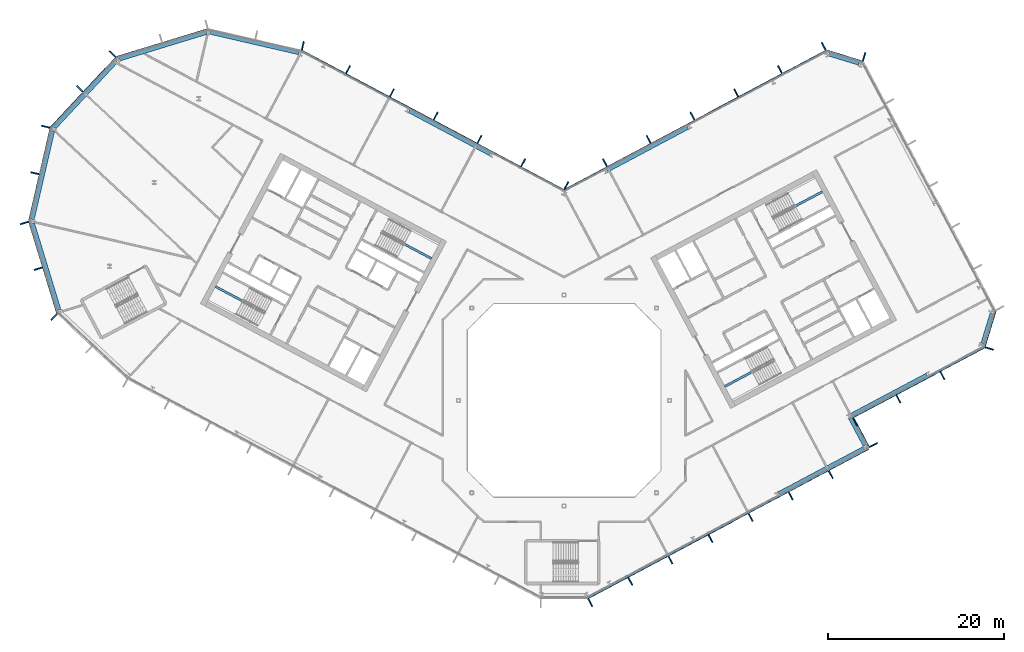
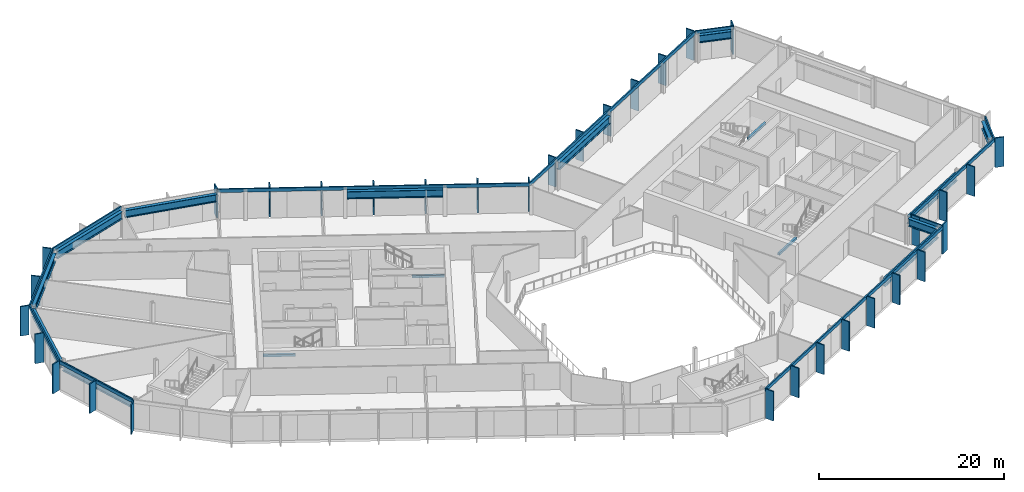
# One storey, part 9 of 26: 44 members, 16 beams, 13 elements without a shape of their own.
"""IFC4 building model written with IfcOpenShell, lengths in metres."""

from ifc_helpers import new_model, si_unit, direction, frame, origin, origin_2d, place, context, subcontext, project, spatial, rectangle, i_section, extrude, material, layer, layer_set, material_profile, profile_set, type_object, element, aggregate, save


model = new_model("IFC4")

# Units and contexts
model_context = context("Model", 3, precision=1e-05, world=origin(), true_north=direction((0.0, 1.0)))
body_context = subcontext(model_context, "Body", "Model", "MODEL_VIEW")
ifc_project = project(units=[si_unit("LENGTHUNIT", "METRE"), si_unit("AREAUNIT", "SQUARE_METRE"), si_unit("VOLUMEUNIT", "CUBIC_METRE"), si_unit("PLANEANGLEUNIT", "RADIAN"), si_unit("MASSUNIT", "GRAM", prefix="KILO")], contexts=[model_context])

# Site, building, storey
site_placement = place(None, origin())
site = spatial("IfcSite", under=ifc_project, at=site_placement, CompositionType="ELEMENT")
building_placement = place(site_placement, origin())
building = spatial("IfcBuilding", under=site, at=building_placement, Name="Cormorant Relay Tower", CompositionType="ELEMENT")
storey_placement = place(building_placement, frame((0.0, 0.0, 205.199951171875)))
storey = spatial("IfcBuildingStorey", under=building, at=storey_placement, Name="L44", CompositionType="ELEMENT", Elevation=205.199951171875)

# Curtain wall, members
ifc_material_1 = material(Name="Aluminium 6063-T6 anodised bronze", Category="aluminium")
ifc_layer = layer(ifc_material_1, 0.199951171875)
ifc_layer_set = layer_set([ifc_layer], Name="CW1 unitised bronze curtain wall with vertical fins")
curtain_wall_type = type_object("IfcCurtainWallType", Name="CW1 unitised bronze curtain wall with vertical fins", PredefinedType="NOTDEFINED", material=ifc_layer_set)
curtain_wall_1_placement = place(storey_placement, origin())
curtain_wall_1 = element("IfcCurtainWall", 1, at=curtain_wall_1_placement, inside=storey, type_object=curtain_wall_type, Name="CW1 curtain wall 2", PredefinedType="NOTDEFINED")
ifc_material_2 = material(Name="Aluminium 6063-T6 anodised bronze", Category="aluminium")
ifc_material_profile_1 = material_profile(ifc_material_2, rectangle(XDim=0.14990234375, YDim=1.0, at=origin_2d()), Name="AL 150x1000")
ifc_profile_set_1 = profile_set([ifc_material_profile_1], Name="Aluminium 6063-T6 anodised bronze")
member_type_1 = type_object("IfcMemberType", Name="CW1 bronze fin mullion 150 x 1000", PredefinedType="MULLION", material=ifc_profile_set_1)
member_1_placement = place(storey_placement, frame((2.9775390625, -22.99365234375, 0.0), z_axis=(0.0, 0.0, 1.0), x_axis=(0.882947592859, 0.469471562786, 0.0)))
member_1 = element("IfcMember", 2, at=member_1_placement, type_object=member_type_1, Name="CW1 fin 2.1", PredefinedType="MULLION", context=body_context, shape_type="SweptSolid", body=[
    extrude(rectangle(XDim=0.14990234375, YDim=1.0, at=origin_2d()), origin(), (0.0, 0.0, 1.0), 3.900146484375),
])
member_2_placement = place(storey_placement, frame((7.539306640625, -20.568115234375, 0.0), z_axis=(0.0, 0.0, 1.0), x_axis=(0.882947592859, 0.469471562786, 0.0)))
member_2 = element("IfcMember", 3, at=member_2_placement, type_object=member_type_1, Name="CW1 fin 2.2", PredefinedType="MULLION", context=body_context, shape_type="SweptSolid", body=[
    extrude(rectangle(XDim=0.14990234375, YDim=1.0, at=origin_2d()), origin(), (0.0, 0.0, 1.0), 3.900146484375),
])
member_3_placement = place(storey_placement, frame((12.10107421875, -18.142578125, 0.0), z_axis=(0.0, 0.0, 1.0), x_axis=(0.882947592859, 0.469471562786, 0.0)))
member_3 = element("IfcMember", 4, at=member_3_placement, type_object=member_type_1, Name="CW1 fin 2.3", PredefinedType="MULLION", context=body_context, shape_type="SweptSolid", body=[
    extrude(rectangle(XDim=0.14990234375, YDim=1.0, at=origin_2d()), origin(), (0.0, 0.0, 1.0), 3.900146484375),
])
member_4_placement = place(storey_placement, frame((16.662841796875, -15.717041015625, 0.0), z_axis=(0.0, 0.0, 1.0), x_axis=(0.882947592859, 0.469471562786, 0.0)))
member_4 = element("IfcMember", 5, at=member_4_placement, type_object=member_type_1, Name="CW1 fin 2.4", PredefinedType="MULLION", context=body_context, shape_type="SweptSolid", body=[
    extrude(rectangle(XDim=0.14990234375, YDim=1.0, at=origin_2d()), origin(), (0.0, 0.0, 1.0), 3.900146484375),
])
member_5_placement = place(storey_placement, frame((21.224609375, -13.29150390625, 0.0), z_axis=(0.0, 0.0, 1.0), x_axis=(0.882947592859, 0.469471562786, 0.0)))
member_5 = element("IfcMember", 6, at=member_5_placement, type_object=member_type_1, Name="CW1 fin 2.5", PredefinedType="MULLION", context=body_context, shape_type="SweptSolid", body=[
    extrude(rectangle(XDim=0.14990234375, YDim=1.0, at=origin_2d()), origin(), (0.0, 0.0, 1.0), 3.900146484375),
])
member_6_placement = place(storey_placement, frame((25.78662109375, -10.865966796875, 0.0), z_axis=(0.0, 0.0, 1.0), x_axis=(0.882947592859, 0.469471562786, 0.0)))
member_6 = element("IfcMember", 7, at=member_6_placement, type_object=member_type_1, Name="CW1 fin 2.6", PredefinedType="MULLION", context=body_context, shape_type="SweptSolid", body=[
    extrude(rectangle(XDim=0.14990234375, YDim=1.0, at=origin_2d()), origin(), (0.0, 0.0, 1.0), 3.900146484375),
])
member_7_placement = place(storey_placement, frame((30.348388671875, -8.440185546875, 0.0), z_axis=(0.0, 0.0, 1.0), x_axis=(0.882947592859, 0.469471562786, 0.0)))
member_7 = element("IfcMember", 8, at=member_7_placement, type_object=member_type_1, Name="CW1 fin 2.7", PredefinedType="MULLION", context=body_context, shape_type="SweptSolid", body=[
    extrude(rectangle(XDim=0.14990234375, YDim=1.0, at=origin_2d()), origin(), (0.0, 0.0, 1.0), 3.900146484375),
])

# Curtain wall, member
curtain_wall_2_placement = place(storey_placement, origin())
curtain_wall_2 = element("IfcCurtainWall", 9, at=curtain_wall_2_placement, inside=storey, type_object=curtain_wall_type, Name="CW1 curtain wall 3", PredefinedType="NOTDEFINED")
member_8_placement = place(storey_placement, frame((35.199462890625, -5.068115234375, 0.0), z_axis=(0.0, 0.0, 1.0), x_axis=(-0.469471562786, 0.882947592859, 0.0)))
member_8 = element("IfcMember", 10, at=member_8_placement, type_object=member_type_1, Name="CW1 fin 3.1", PredefinedType="MULLION", context=body_context, shape_type="SweptSolid", body=[
    extrude(rectangle(XDim=0.14990234375, YDim=1.0, at=origin_2d()), origin(), (0.0, 0.0, 1.0), 3.900146484375),
])

# Curtain wall, members
curtain_wall_3_placement = place(storey_placement, origin())
curtain_wall_3 = element("IfcCurtainWall", 11, at=curtain_wall_3_placement, inside=storey, type_object=curtain_wall_type, Name="CW1 curtain wall 4", PredefinedType="NOTDEFINED")
member_9_placement = place(storey_placement, frame((33.098388671875, -2.44775390625, 0.0), z_axis=(0.0, 0.0, 1.0), x_axis=(0.882947592859, 0.469471562786, 0.0)))
member_9 = element("IfcMember", 12, at=member_9_placement, type_object=member_type_1, Name="CW1 fin 4.1", PredefinedType="MULLION", context=body_context, shape_type="SweptSolid", body=[
    extrude(rectangle(XDim=0.14990234375, YDim=1.0, at=origin_2d()), origin(), (0.0, 0.0, 1.0), 3.900146484375),
])
member_10_placement = place(storey_placement, frame((38.035400390625, 0.177490234375, 0.0), z_axis=(0.0, 0.0, 1.0), x_axis=(0.882947592859, 0.469471562786, 0.0)))
member_10 = element("IfcMember", 13, at=member_10_placement, type_object=member_type_1, Name="CW1 fin 4.2", PredefinedType="MULLION", context=body_context, shape_type="SweptSolid", body=[
    extrude(rectangle(XDim=0.14990234375, YDim=1.0, at=origin_2d()), origin(), (0.0, 0.0, 1.0), 3.900146484375),
])
member_11_placement = place(storey_placement, frame((43.038818359375, 2.837646484375, 0.0), z_axis=(0.0, 0.0, 1.0), x_axis=(0.882947592859, 0.469471562786, 0.0)))
member_11 = element("IfcMember", 14, at=member_11_placement, type_object=member_type_1, Name="CW1 fin 4.3", PredefinedType="MULLION", context=body_context, shape_type="SweptSolid", body=[
    extrude(rectangle(XDim=0.14990234375, YDim=1.0, at=origin_2d()), origin(), (0.0, 0.0, 1.0), 3.900146484375),
])

# Curtain wall, member
curtain_wall_4_placement = place(storey_placement, origin())
curtain_wall_4 = element("IfcCurtainWall", 15, at=curtain_wall_4_placement, inside=storey, type_object=curtain_wall_type, Name="CW1 curtain wall 5", PredefinedType="NOTDEFINED")
member_12_placement = place(storey_placement, frame((48.383056640625, 5.91162109375, 0.0), z_axis=(0.0, 0.0, 1.0), x_axis=(0.292371704723, 0.956304755963, 0.0)))
member_12 = element("IfcMember", 16, at=member_12_placement, type_object=member_type_1, Name="CW1 fin 5.1", PredefinedType="MULLION", context=body_context, shape_type="SweptSolid", body=[
    extrude(rectangle(XDim=0.14990234375, YDim=1.0, at=origin_2d()), origin(), (0.0, 0.0, 1.0), 3.900146484375),
])

curtain_wall_5_placement = place(storey_placement, origin())
curtain_wall_5 = element("IfcCurtainWall", 17, at=curtain_wall_5_placement, inside=storey, type_object=curtain_wall_type, Name="CW1 curtain wall 7", PredefinedType="NOTDEFINED")
member_13_placement = place(storey_placement, frame((34.1357421875, 39.09716796875, 0.0), z_axis=(0.0, 0.0, 1.0), x_axis=(-0.956304755963, 0.292371704723, 0.0)))
member_13 = element("IfcMember", 18, at=member_13_placement, type_object=member_type_1, Name="CW1 fin 7.1", PredefinedType="MULLION", context=body_context, shape_type="SweptSolid", body=[
    extrude(rectangle(XDim=0.14990234375, YDim=1.0, at=origin_2d()), origin(), (0.0, 0.0, 1.0), 3.900146484375),
])

# Curtain wall, members
curtain_wall_6_placement = place(storey_placement, origin())
curtain_wall_6 = element("IfcCurtainWall", 19, at=curtain_wall_6_placement, inside=storey, type_object=curtain_wall_type, Name="CW1 curtain wall 8", PredefinedType="NOTDEFINED")
member_14_placement = place(storey_placement, frame((29.545166015625, 40.2861328125, 0.0), z_axis=(0.0, 0.0, 1.0), x_axis=(-0.882947592859, -0.469471562786, 0.0)))
member_14 = element("IfcMember", 20, at=member_14_placement, type_object=member_type_1, Name="CW1 fin 8.1", PredefinedType="MULLION", context=body_context, shape_type="SweptSolid", body=[
    extrude(rectangle(XDim=0.14990234375, YDim=1.0, at=origin_2d()), origin(), (0.0, 0.0, 1.0), 3.900146484375),
])
member_15_placement = place(storey_placement, frame((24.566162109375, 37.638916015625, 0.0), z_axis=(0.0, 0.0, 1.0), x_axis=(-0.882947592859, -0.469471562786, 0.0)))
member_15 = element("IfcMember", 21, at=member_15_placement, type_object=member_type_1, Name="CW1 fin 8.2", PredefinedType="MULLION", context=body_context, shape_type="SweptSolid", body=[
    extrude(rectangle(XDim=0.14990234375, YDim=1.0, at=origin_2d()), origin(), (0.0, 0.0, 1.0), 3.900146484375),
])
member_16_placement = place(storey_placement, frame((19.587158203125, 34.991455078125, 0.0), z_axis=(0.0, 0.0, 1.0), x_axis=(-0.882947592859, -0.469471562786, 0.0)))
member_16 = element("IfcMember", 22, at=member_16_placement, type_object=member_type_1, Name="CW1 fin 8.3", PredefinedType="MULLION", context=body_context, shape_type="SweptSolid", body=[
    extrude(rectangle(XDim=0.14990234375, YDim=1.0, at=origin_2d()), origin(), (0.0, 0.0, 1.0), 3.900146484375),
])
member_17_placement = place(storey_placement, frame((14.608154296875, 32.343994140625, 0.0), z_axis=(0.0, 0.0, 1.0), x_axis=(-0.882947592859, -0.469471562786, 0.0)))
member_17 = element("IfcMember", 23, at=member_17_placement, type_object=member_type_1, Name="CW1 fin 8.4", PredefinedType="MULLION", context=body_context, shape_type="SweptSolid", body=[
    extrude(rectangle(XDim=0.14990234375, YDim=1.0, at=origin_2d()), origin(), (0.0, 0.0, 1.0), 3.900146484375),
])
member_18_placement = place(storey_placement, frame((9.62939453125, 29.69677734375, 0.0), z_axis=(0.0, 0.0, 1.0), x_axis=(-0.882947592859, -0.469471562786, 0.0)))
member_18 = element("IfcMember", 24, at=member_18_placement, type_object=member_type_1, Name="CW1 fin 8.5", PredefinedType="MULLION", context=body_context, shape_type="SweptSolid", body=[
    extrude(rectangle(XDim=0.14990234375, YDim=1.0, at=origin_2d()), origin(), (0.0, 0.0, 1.0), 3.900146484375),
])
member_19_placement = place(storey_placement, frame((4.650390625, 27.04931640625, 0.0), z_axis=(0.0, 0.0, 1.0), x_axis=(-0.882947592859, -0.469471562786, 0.0)))
member_19 = element("IfcMember", 25, at=member_19_placement, type_object=member_type_1, Name="CW1 fin 8.6", PredefinedType="MULLION", context=body_context, shape_type="SweptSolid", body=[
    extrude(rectangle(XDim=0.14990234375, YDim=1.0, at=origin_2d()), origin(), (0.0, 0.0, 1.0), 3.900146484375),
])

curtain_wall_7_placement = place(storey_placement, origin())
curtain_wall_7 = element("IfcCurtainWall", 26, at=curtain_wall_7_placement, inside=storey, type_object=curtain_wall_type, Name="CW1 curtain wall 9", PredefinedType="NOTDEFINED")
member_20_placement = place(storey_placement, frame((0.262451171875, 24.437255859375, 0.0), z_axis=(0.0, 0.0, 1.0), x_axis=(-0.882947592859, 0.469471562786, 0.0)))
member_20 = element("IfcMember", 27, at=member_20_placement, type_object=member_type_1, Name="CW1 fin 9.1", PredefinedType="MULLION", context=body_context, shape_type="SweptSolid", body=[
    extrude(rectangle(XDim=0.14990234375, YDim=1.0, at=origin_2d()), origin(), (0.0, 0.0, 1.0), 3.900146484375),
])
member_21_placement = place(storey_placement, frame((-4.650390625, 27.04931640625, 0.0), z_axis=(0.0, 0.0, 1.0), x_axis=(-0.882947592859, 0.469471562786, 0.0)))
member_21 = element("IfcMember", 28, at=member_21_placement, type_object=member_type_1, Name="CW1 fin 9.2", PredefinedType="MULLION", context=body_context, shape_type="SweptSolid", body=[
    extrude(rectangle(XDim=0.14990234375, YDim=1.0, at=origin_2d()), origin(), (0.0, 0.0, 1.0), 3.900146484375),
])
member_22_placement = place(storey_placement, frame((-9.62939453125, 29.69677734375, 0.0), z_axis=(0.0, 0.0, 1.0), x_axis=(-0.882947592859, 0.469471562786, 0.0)))
member_22 = element("IfcMember", 29, at=member_22_placement, type_object=member_type_1, Name="CW1 fin 9.3", PredefinedType="MULLION", context=body_context, shape_type="SweptSolid", body=[
    extrude(rectangle(XDim=0.14990234375, YDim=1.0, at=origin_2d()), origin(), (0.0, 0.0, 1.0), 3.900146484375),
])
member_23_placement = place(storey_placement, frame((-14.608154296875, 32.343994140625, 0.0), z_axis=(0.0, 0.0, 1.0), x_axis=(-0.882947592859, 0.469471562786, 0.0)))
member_23 = element("IfcMember", 30, at=member_23_placement, type_object=member_type_1, Name="CW1 fin 9.4", PredefinedType="MULLION", context=body_context, shape_type="SweptSolid", body=[
    extrude(rectangle(XDim=0.14990234375, YDim=1.0, at=origin_2d()), origin(), (0.0, 0.0, 1.0), 3.900146484375),
])
member_24_placement = place(storey_placement, frame((-19.587158203125, 34.991455078125, 0.0), z_axis=(0.0, 0.0, 1.0), x_axis=(-0.882947592859, 0.469471562786, 0.0)))
member_24 = element("IfcMember", 31, at=member_24_placement, type_object=member_type_1, Name="CW1 fin 9.5", PredefinedType="MULLION", context=body_context, shape_type="SweptSolid", body=[
    extrude(rectangle(XDim=0.14990234375, YDim=1.0, at=origin_2d()), origin(), (0.0, 0.0, 1.0), 3.900146484375),
])
member_25_placement = place(storey_placement, frame((-24.566162109375, 37.638916015625, 0.0), z_axis=(0.0, 0.0, 1.0), x_axis=(-0.882947592859, 0.469471562786, 0.0)))
member_25 = element("IfcMember", 32, at=member_25_placement, type_object=member_type_1, Name="CW1 fin 9.6", PredefinedType="MULLION", context=body_context, shape_type="SweptSolid", body=[
    extrude(rectangle(XDim=0.14990234375, YDim=1.0, at=origin_2d()), origin(), (0.0, 0.0, 1.0), 3.900146484375),
])

# Curtain wall, member
curtain_wall_8_placement = place(storey_placement, origin())
curtain_wall_8 = element("IfcCurtainWall", 33, at=curtain_wall_8_placement, inside=storey, type_object=curtain_wall_type, Name="CW1 curtain wall 10", PredefinedType="NOTDEFINED")
member_26_placement = place(storey_placement, frame((-29.71630859375, 40.35009765625, 0.0), z_axis=(0.0, 0.0, 1.0), x_axis=(-0.974370064785, 0.224951054344, 0.0)))
member_26 = element("IfcMember", 34, at=member_26_placement, type_object=member_type_1, Name="CW1 fin 10.1", PredefinedType="MULLION", context=body_context, shape_type="SweptSolid", body=[
    extrude(rectangle(XDim=0.14990234375, YDim=1.0, at=origin_2d()), origin(), (0.0, 0.0, 1.0), 3.900146484375),
])
aggregate(curtain_wall_8, [member_26])

# Curtain wall, members
curtain_wall_9_placement = place(storey_placement, origin())
curtain_wall_9 = element("IfcCurtainWall", 35, at=curtain_wall_9_placement, inside=storey, type_object=curtain_wall_type, Name="CW1 curtain wall 12", PredefinedType="NOTDEFINED")
member_27_placement = place(storey_placement, frame((-51.372802734375, 39.41259765625, 0.0), z_axis=(0.0, 0.0, 1.0), x_axis=(-0.681998360062, -0.731353701619, 0.0)))
member_27 = element("IfcMember", 36, at=member_27_placement, type_object=member_type_1, Name="CW1 fin 12.1", PredefinedType="MULLION", context=body_context, shape_type="SweptSolid", body=[
    extrude(rectangle(XDim=0.14990234375, YDim=1.0, at=origin_2d()), origin(), (0.0, 0.0, 1.0), 3.900146484375),
])
member_28_placement = place(storey_placement, frame((-55.07958984375, 35.4375, 0.0), z_axis=(0.0, 0.0, 1.0), x_axis=(-0.681998360062, -0.731353701619, 0.0)))
member_28 = element("IfcMember", 37, at=member_28_placement, type_object=member_type_1, Name="CW1 fin 12.2", PredefinedType="MULLION", context=body_context, shape_type="SweptSolid", body=[
    extrude(rectangle(XDim=0.14990234375, YDim=1.0, at=origin_2d()), origin(), (0.0, 0.0, 1.0), 3.900146484375),
])

curtain_wall_10_placement = place(storey_placement, origin())
curtain_wall_10 = element("IfcCurtainWall", 38, at=curtain_wall_10_placement, inside=storey, type_object=curtain_wall_type, Name="CW1 curtain wall 13", PredefinedType="NOTDEFINED")
member_29_placement = place(storey_placement, frame((-58.95654296875, 31.142578125, 0.0), z_axis=(0.0, 0.0, 1.0), x_axis=(-0.224951054344, -0.974370064785, 0.0)))
member_29 = element("IfcMember", 39, at=member_29_placement, type_object=member_type_1, Name="CW1 fin 13.1", PredefinedType="MULLION", context=body_context, shape_type="SweptSolid", body=[
    extrude(rectangle(XDim=0.14990234375, YDim=1.0, at=origin_2d()), origin(), (0.0, 0.0, 1.0), 3.900146484375),
])
member_30_placement = place(storey_placement, frame((-60.17919921875, 25.8466796875, 0.0), z_axis=(0.0, 0.0, 1.0), x_axis=(-0.224951054344, -0.974370064785, 0.0)))
member_30 = element("IfcMember", 40, at=member_30_placement, type_object=member_type_1, Name="CW1 fin 13.2", PredefinedType="MULLION", context=body_context, shape_type="SweptSolid", body=[
    extrude(rectangle(XDim=0.14990234375, YDim=1.0, at=origin_2d()), origin(), (0.0, 0.0, 1.0), 3.900146484375),
])

curtain_wall_11_placement = place(storey_placement, origin())
curtain_wall_11 = element("IfcCurtainWall", 41, at=curtain_wall_11_placement, inside=storey, type_object=curtain_wall_type, Name="CW1 curtain wall 14", PredefinedType="NOTDEFINED")
member_31_placement = place(storey_placement, frame((-61.389404296875, 20.188720703125, 0.0), z_axis=(0.0, 0.0, 1.0), x_axis=(0.292371704723, -0.956304755963, 0.0)))
member_31 = element("IfcMember", 42, at=member_31_placement, type_object=member_type_1, Name="CW1 fin 14.1", PredefinedType="MULLION", context=body_context, shape_type="SweptSolid", body=[
    extrude(rectangle(XDim=0.14990234375, YDim=1.0, at=origin_2d()), origin(), (0.0, 0.0, 1.0), 3.900146484375),
])
member_32_placement = place(storey_placement, frame((-59.80029296875, 14.990966796875, 0.0), z_axis=(0.0, 0.0, 1.0), x_axis=(0.292371704723, -0.956304755963, 0.0)))
member_32 = element("IfcMember", 43, at=member_32_placement, type_object=member_type_1, Name="CW1 fin 14.2", PredefinedType="MULLION", context=body_context, shape_type="SweptSolid", body=[
    extrude(rectangle(XDim=0.14990234375, YDim=1.0, at=origin_2d()), origin(), (0.0, 0.0, 1.0), 3.900146484375),
])

# Curtain wall, member
curtain_wall_12_placement = place(storey_placement, origin())
curtain_wall_12 = element("IfcCurtainWall", 44, at=curtain_wall_12_placement, inside=storey, type_object=curtain_wall_type, Name="CW1 curtain wall 15", PredefinedType="NOTDEFINED")
member_33_placement = place(storey_placement, frame((-58.01904296875, 9.486083984375, 0.0), z_axis=(0.0, 0.0, 1.0), x_axis=(0.731353701619, -0.681998360062, 0.0)))
member_33 = element("IfcMember", 45, at=member_33_placement, type_object=member_type_1, Name="CW1 fin 15.1", PredefinedType="MULLION", context=body_context, shape_type="SweptSolid", body=[
    extrude(rectangle(XDim=0.14990234375, YDim=1.0, at=origin_2d()), origin(), (0.0, 0.0, 1.0), 3.900146484375),
])
aggregate(curtain_wall_12, [member_33])

# Member
ifc_material_3 = material(Name="Aluminium 6063-T6 anodised bronze", Category="aluminium")
ifc_material_profile_2 = material_profile(ifc_material_3, rectangle(XDim=0.159912109375, YDim=0.449951171875, at=origin_2d()), Name="AL 160x450")
ifc_profile_set_2 = profile_set([ifc_material_profile_2], Name="Aluminium 6063-T6 anodised bronze")
member_type_2 = type_object("IfcMemberType", Name="CW1 bronze transom 160 x 450", PredefinedType="USERDEFINED", material=ifc_profile_set_2)
member_34_placement = place(storey_placement, frame((2.705078125, -22.4814453125, 3.675048828125), z_axis=(0.882948899141, 0.469469106018, 0.0), x_axis=(-0.469469106018, 0.882948899141, 0.0)))
member_34 = element("IfcMember", 46, at=member_34_placement, type_object=member_type_2, Name="CW1 transom 2", ObjectType="TRANSOM", PredefinedType="USERDEFINED", context=body_context, shape_type="SweptSolid", body=[
    extrude(rectangle(XDim=0.159912109375, YDim=0.449951171875, at=origin_2d()), origin(), (0.0, 0.0, 1.0), 36.165771484375),
])

aggregate(curtain_wall_1, [member_1, member_2, member_3, member_4, member_5, member_6, member_7, member_34])

member_35_placement = place(storey_placement, frame((34.6875, -5.34033203125, 3.675048828125), z_axis=(-0.469485426614, 0.882940221191, 0.0), x_axis=(-0.882940221191, -0.469485426614, 0.0)))
member_35 = element("IfcMember", 47, at=member_35_placement, type_object=member_type_2, Name="CW1 transom 3", ObjectType="TRANSOM", PredefinedType="USERDEFINED", context=body_context, shape_type="SweptSolid", body=[
    extrude(rectangle(XDim=0.159912109375, YDim=0.449951171875, at=origin_2d()), origin(), (0.0, 0.0, 1.0), 4.0),
])

aggregate(curtain_wall_2, [member_8, member_35])

member_36_placement = place(storey_placement, frame((32.760009765625, -1.970947265625, 3.675048828125), z_axis=(0.882941803911, 0.469482450052, 0.0), x_axis=(-0.469482450052, 0.882941803911, 0.0)))
member_36 = element("IfcMember", 48, at=member_36_placement, type_object=member_type_2, Name="CW1 transom 4", ObjectType="TRANSOM", PredefinedType="USERDEFINED", context=body_context, shape_type="SweptSolid", body=[
    extrude(rectangle(XDim=0.159912109375, YDim=0.449951171875, at=origin_2d()), origin(), (0.0, 0.0, 1.0), 17.0),
])

aggregate(curtain_wall_3, [member_9, member_10, member_11, member_36])

member_37_placement = place(storey_placement, frame((47.828369140625, 6.0810546875, 3.675048828125), z_axis=(0.292391046905, 0.95629884225, 0.0), x_axis=(-0.95629884225, 0.292391046905, 0.0)))
member_37 = element("IfcMember", 49, at=member_37_placement, type_object=member_type_2, Name="CW1 transom 5", ObjectType="TRANSOM", PredefinedType="USERDEFINED", context=body_context, shape_type="SweptSolid", body=[
    extrude(rectangle(XDim=0.159912109375, YDim=0.449951171875, at=origin_2d()), origin(), (0.0, 0.0, 1.0), 4.242431640625),
])

aggregate(curtain_wall_4, [member_12, member_37])

member_38_placement = place(storey_placement, frame((33.966064453125, 38.54248046875, 3.675048828125), z_axis=(-0.956303761594, 0.292374957137, 0.0), x_axis=(-0.292374957137, -0.956303761594, 0.0)))
member_38 = element("IfcMember", 50, at=member_38_placement, type_object=member_type_2, Name="CW1 transom 7", ObjectType="TRANSOM", PredefinedType="USERDEFINED", context=body_context, shape_type="SweptSolid", body=[
    extrude(rectangle(XDim=0.159912109375, YDim=0.449951171875, at=origin_2d()), origin(), (0.0, 0.0, 1.0), 4.24267578125),
])

aggregate(curtain_wall_5, [member_13, member_38])

member_39_placement = place(storey_placement, frame((29.8173828125, 39.774169921875, 3.675048828125), z_axis=(-0.882946280328, -0.46947403129, 0.0), x_axis=(0.46947403129, -0.882946280328, 0.0)))
member_39 = element("IfcMember", 51, at=member_39_placement, type_object=member_type_2, Name="CW1 transom 8", ObjectType="TRANSOM", PredefinedType="USERDEFINED", context=body_context, shape_type="SweptSolid", body=[
    extrude(rectangle(XDim=0.159912109375, YDim=0.449951171875, at=origin_2d()), origin(), (0.0, 0.0, 1.0), 33.834228515625),
])

aggregate(curtain_wall_6, [member_14, member_15, member_16, member_17, member_18, member_19, member_39])

member_40_placement = place(storey_placement, frame((0.056396484375, 23.889892578125, 3.675048828125), z_axis=(-0.882946280328, 0.46947403129, 0.0), x_axis=(-0.46947403129, -0.882946280328, 0.0)))
member_40 = element("IfcMember", 52, at=member_40_placement, type_object=member_type_2, Name="CW1 transom 9", ObjectType="TRANSOM", PredefinedType="USERDEFINED", context=body_context, shape_type="SweptSolid", body=[
    extrude(rectangle(XDim=0.159912109375, YDim=0.449951171875, at=origin_2d()), origin(), (0.0, 0.0, 1.0), 33.834228515625),
])

aggregate(curtain_wall_7, [member_20, member_21, member_22, member_23, member_24, member_25, member_40])

# Curtain wall, member
curtain_wall_13_placement = place(storey_placement, origin())
curtain_wall_13 = element("IfcCurtainWall", 53, at=curtain_wall_13_placement, inside=storey, type_object=curtain_wall_type, Name="CW1 curtain wall 11", PredefinedType="NOTDEFINED")
member_41_placement = place(storey_placement, frame((-40.50048828125, 42.228271484375, 3.675048828125), z_axis=(-0.956304833932, -0.292371449698, 0.0), x_axis=(0.292371449698, -0.956304833932, 0.0)))
member_41 = element("IfcMember", 54, at=member_41_placement, type_object=member_type_2, Name="CW1 transom 11", ObjectType="TRANSOM", PredefinedType="USERDEFINED", context=body_context, shape_type="SweptSolid", body=[
    extrude(rectangle(XDim=0.159912109375, YDim=0.449951171875, at=origin_2d()), origin(), (0.0, 0.0, 1.0), 10.87060546875),
])
aggregate(curtain_wall_13, [member_41])

# Member
member_42_placement = place(storey_placement, frame((-50.94873046875, 39.01708984375, 3.675048828125), z_axis=(-0.681993299437, -0.731358420696, 0.0), x_axis=(0.731358420696, -0.681993299437, 0.0)))
member_42 = element("IfcMember", 55, at=member_42_placement, type_object=member_type_2, Name="CW1 transom 12", ObjectType="TRANSOM", PredefinedType="USERDEFINED", context=body_context, shape_type="SweptSolid", body=[
    extrude(rectangle(XDim=0.159912109375, YDim=0.449951171875, at=origin_2d()), origin(), (0.0, 0.0, 1.0), 10.870361328125),
])

aggregate(curtain_wall_9, [member_27, member_28, member_42])

member_43_placement = place(storey_placement, frame((-58.3916015625, 31.01220703125, 3.675048828125), z_axis=(-0.22495136131, -0.974369993916, 0.0), x_axis=(0.974369993916, -0.22495136131, 0.0)))
member_43 = element("IfcMember", 56, at=member_43_placement, type_object=member_type_2, Name="CW1 transom 13", ObjectType="TRANSOM", PredefinedType="USERDEFINED", context=body_context, shape_type="SweptSolid", body=[
    extrude(rectangle(XDim=0.159912109375, YDim=0.449951171875, at=origin_2d()), origin(), (0.0, 0.0, 1.0), 10.870361328125),
])

aggregate(curtain_wall_10, [member_29, member_30, member_43])

member_44_placement = place(storey_placement, frame((-60.834716796875, 20.358154296875, 3.675048828125), z_axis=(0.292377729282, -0.95630291405, 0.0), x_axis=(0.95630291405, 0.292377729282, 0.0)))
member_44 = element("IfcMember", 57, at=member_44_placement, type_object=member_type_2, Name="CW1 transom 14", ObjectType="TRANSOM", PredefinedType="USERDEFINED", context=body_context, shape_type="SweptSolid", body=[
    extrude(rectangle(XDim=0.159912109375, YDim=0.449951171875, at=origin_2d()), origin(), (0.0, 0.0, 1.0), 10.870361328125),
])

aggregate(curtain_wall_11, [member_31, member_32, member_44])

# Beams
ifc_material_4 = material(Name="Steel ASTM A992 (Fy 345 MPa)", Category="steel")
ifc_material_profile_3 = material_profile(ifc_material_4, i_section(OverallWidth=0.4013671875, OverallDepth=0.990478515625, WebThickness=0.0166015625, FlangeThickness=0.031005859375, FilletRadius=0.030029296875, at=origin_2d()), Name="W1000x320")
ifc_profile_set_3 = profile_set([ifc_material_profile_3], Name="Steel ASTM A992 (Fy 345 MPa)")
beam_type_1 = type_object("IfcBeamType", Name="Spandrel W1000x320", PredefinedType="SPANDREL", material=ifc_profile_set_3)
beam_1_placement = place(storey_placement, frame((24.423583984375, -10.5703125, 3.044677734375), z_axis=(0.882952735253, 0.469461891221, 0.0), x_axis=(-0.469461891221, 0.882952735253, 0.0)))
element("IfcBeam", 58, at=beam_1_placement, inside=storey, type_object=beam_type_1, Name="Spandrel beam L44-002", PredefinedType="SPANDREL", context=body_context, shape_type="SweptSolid", body=[
    extrude(i_section(OverallWidth=0.4013671875, OverallDepth=0.990478515625, WebThickness=0.0166015625, FlangeThickness=0.031005859375, FilletRadius=0.030029296875, at=origin_2d()), origin(), (0.0, 0.0, 1.0), 10.96142578125),
])
beam_2_placement = place(storey_placement, frame((34.20458984375, -5.115478515625, 3.044677734375), z_axis=(-0.469423552529, 0.882973118691, 0.0), x_axis=(-0.882973118691, -0.469423552529, 0.0)))
element("IfcBeam", 59, at=beam_2_placement, inside=storey, type_object=beam_type_1, Name="Spandrel beam L44-003", PredefinedType="SPANDREL", context=body_context, shape_type="SweptSolid", body=[
    extrude(i_section(OverallWidth=0.4013671875, OverallDepth=0.990478515625, WebThickness=0.0166015625, FlangeThickness=0.031005859375, FilletRadius=0.030029296875, at=origin_2d()), origin(), (0.0, 0.0, 1.0), 3.56982421875),
])
beam_3_placement = place(storey_placement, frame((32.609375, -1.687744140625, 3.044677734375), z_axis=(0.882948215634, 0.469470391515, 0.0), x_axis=(-0.469470391515, 0.882948215634, 0.0)))
element("IfcBeam", 60, at=beam_3_placement, inside=storey, type_object=beam_type_1, Name="Spandrel beam L44-004", PredefinedType="SPANDREL", context=body_context, shape_type="SweptSolid", body=[
    extrude(i_section(OverallWidth=0.4013671875, OverallDepth=0.990478515625, WebThickness=0.0166015625, FlangeThickness=0.031005859375, FilletRadius=0.030029296875, at=origin_2d()), origin(), (0.0, 0.0, 1.0), 9.79736328125),
])
for number, where, z_axis, x_axis, name in (
    (61, (47.618896484375, 6.4921875, 3.044677734375), (0.292349563537, 0.956311524923, 0.0), (-0.956311524923, 0.292349563537, 0.0), "Spandrel beam L44-005"),
    (62, (33.5546875, 38.3330078125, 3.044677734375), (-0.956311524923, 0.292349563537, 0.0), (-0.292349563537, -0.956311524923, 0.0), "Spandrel beam L44-007"),
):
    element("IfcBeam", number, at=place(storey_placement, frame(where, z_axis=z_axis, x_axis=x_axis)), inside=storey, type_object=beam_type_1, Name=name, PredefinedType="SPANDREL", context=body_context, shape_type="SweptSolid", body=[
        extrude(i_section(OverallWidth=0.4013671875, OverallDepth=0.990478515625, WebThickness=0.0166015625, FlangeThickness=0.031005859375, FilletRadius=0.030029296875, at=origin_2d()), origin(), (0.0, 0.0, 1.0), 3.59765625),
    ])
for number, where, z_axis, x_axis, name in (
    (63, (14.0732421875, 31.03955078125, 3.044677734375), (-0.882949648898, -0.469467695918, 0.0), (0.469467695918, -0.882949648898, 0.0), "Spandrel beam L44-008"),
    (64, (-8.426025390625, 28.036865234375, 3.044677734375), (-0.882949648898, 0.469467695918, 0.0), (-0.469467695918, -0.882949648898, 0.0), "Spandrel beam L44-009"),
):
    element("IfcBeam", number, at=place(storey_placement, frame(where, z_axis=z_axis, x_axis=x_axis)), inside=storey, type_object=beam_type_1, Name=name, PredefinedType="SPANDREL", context=body_context, shape_type="SweptSolid", body=[
        extrude(i_section(OverallWidth=0.4013671875, OverallDepth=0.990478515625, WebThickness=0.0166015625, FlangeThickness=0.031005859375, FilletRadius=0.030029296875, at=origin_2d()), origin(), (0.0, 0.0, 1.0), 10.39599609375),
    ])
beam_4_placement = place(storey_placement, frame((-30.1533203125, 39.526611328125, 3.044677734375), z_axis=(-0.97436619016, 0.22496783653, 0.0), x_axis=(-0.22496783653, -0.97436619016, 0.0)))
element("IfcBeam", 65, at=beam_4_placement, inside=storey, type_object=beam_type_1, Name="Spandrel beam L44-010", PredefinedType="SPANDREL", context=body_context, shape_type="SweptSolid", body=[
    extrude(i_section(OverallWidth=0.4013671875, OverallDepth=0.990478515625, WebThickness=0.0166015625, FlangeThickness=0.031005859375, FilletRadius=0.030029296875, at=origin_2d()), origin(), (0.0, 0.0, 1.0), 10.369384765625),
])
beam_5_placement = place(storey_placement, frame((-40.680419921875, 41.837890625, 3.044677734375), z_axis=(-0.956303094801, -0.292377138084, 0.0), x_axis=(0.292377138084, -0.956303094801, 0.0)))
element("IfcBeam", 66, at=beam_5_placement, inside=storey, type_object=beam_type_1, Name="Spandrel beam L44-011", PredefinedType="SPANDREL", context=body_context, shape_type="SweptSolid", body=[
    extrude(i_section(OverallWidth=0.4013671875, OverallDepth=0.990478515625, WebThickness=0.0166015625, FlangeThickness=0.031005859375, FilletRadius=0.030029296875, at=origin_2d()), origin(), (0.0, 0.0, 1.0), 10.32421875),
])
beam_6_placement = place(storey_placement, frame((-50.90966796875, 38.5888671875, 3.044677734375), z_axis=(-0.681996285296, -0.731355636365, 0.0), x_axis=(0.731355636365, -0.681996285296, 0.0)))
element("IfcBeam", 67, at=beam_6_placement, inside=storey, type_object=beam_type_1, Name="Spandrel beam L44-012", PredefinedType="SPANDREL", context=body_context, shape_type="SweptSolid", body=[
    extrude(i_section(OverallWidth=0.4013671875, OverallDepth=0.990478515625, WebThickness=0.0166015625, FlangeThickness=0.031005859375, FilletRadius=0.030029296875, at=origin_2d()), origin(), (0.0, 0.0, 1.0), 10.32275390625),
])
beam_7_placement = place(storey_placement, frame((-58.143310546875, 30.66162109375, 3.044677734375), z_axis=(-0.224957947919, -0.974368473252, 0.0), x_axis=(0.974368473252, -0.224957947919, 0.0)))
element("IfcBeam", 68, at=beam_7_placement, inside=storey, type_object=beam_type_1, Name="Spandrel beam L44-013", PredefinedType="SPANDREL", context=body_context, shape_type="SweptSolid", body=[
    extrude(i_section(OverallWidth=0.4013671875, OverallDepth=0.990478515625, WebThickness=0.0166015625, FlangeThickness=0.031005859375, FilletRadius=0.030029296875, at=origin_2d()), origin(), (0.0, 0.0, 1.0), 10.32421875),
])
beam_8_placement = place(storey_placement, frame((-60.4443359375, 20.178466796875, 3.044677734375), z_axis=(0.29236873538, -0.956305663777, 0.0), x_axis=(0.956305663777, 0.29236873538, 0.0)))
element("IfcBeam", 69, at=beam_8_placement, inside=storey, type_object=beam_type_1, Name="Spandrel beam L44-014", PredefinedType="SPANDREL", context=body_context, shape_type="SweptSolid", body=[
    extrude(i_section(OverallWidth=0.4013671875, OverallDepth=0.990478515625, WebThickness=0.0166015625, FlangeThickness=0.031005859375, FilletRadius=0.030029296875, at=origin_2d()), origin(), (0.0, 0.0, 1.0), 10.32373046875),
])
ifc_material_5 = material(Name="Concrete 50 MPa", Category="concrete")
ifc_material_profile_4 = material_profile(ifc_material_5, rectangle(XDim=0.25, YDim=0.300048828125, at=origin_2d()), Name="RC 250x300")
ifc_profile_set_4 = profile_set([ifc_material_profile_4], Name="Concrete 50 MPa")
beam_type_2 = type_object("IfcBeamType", Name="Stair landing ledge beam 250x300", PredefinedType="BEAM", material=ifc_profile_set_4)
beam_9_placement = place(storey_placement, frame((-18.219482421875, 17.813720703125, 1.60009765625), z_axis=(0.882950035608, -0.469466968614, 0.0), x_axis=(0.469466968614, 0.882950035608, 0.0)))
element("IfcBeam", 70, at=beam_9_placement, inside=storey, type_object=beam_type_2, Name="A1 landing ledge beam", PredefinedType="BEAM", context=body_context, shape_type="SweptSolid", body=[
    extrude(rectangle(XDim=0.25, YDim=0.300048828125, at=origin_2d()), origin(), (0.0, 0.0, 1.0), 3.5498046875),
])
for number, where, z_axis, x_axis, name in (
    (71, (-36.523193359375, 11.29345703125, 1.60009765625), (-0.88293668587, 0.469492075273, 0.0), (-0.469492075273, -0.88293668587, 0.0), "A2 landing ledge beam"),
    (72, (21.4248046875, 3.265380859375, 1.60009765625), (-0.88296519247, -0.469438461235, 0.0), (0.469438461235, -0.88296519247, 0.0), "B1 landing ledge beam"),
    (73, (26.25439453125, 22.0859375, 1.60009765625), (0.88296519247, 0.469438461235, 0.0), (-0.469438461235, 0.88296519247, 0.0), "B2 landing ledge beam"),
):
    element("IfcBeam", number, at=place(storey_placement, frame(where, z_axis=z_axis, x_axis=x_axis)), inside=storey, type_object=beam_type_2, Name=name, PredefinedType="BEAM", context=body_context, shape_type="SweptSolid", body=[
        extrude(rectangle(XDim=0.25, YDim=0.300048828125, at=origin_2d()), origin(), (0.0, 0.0, 1.0), 3.550048828125),
    ])

save(model, "model.ifc")
